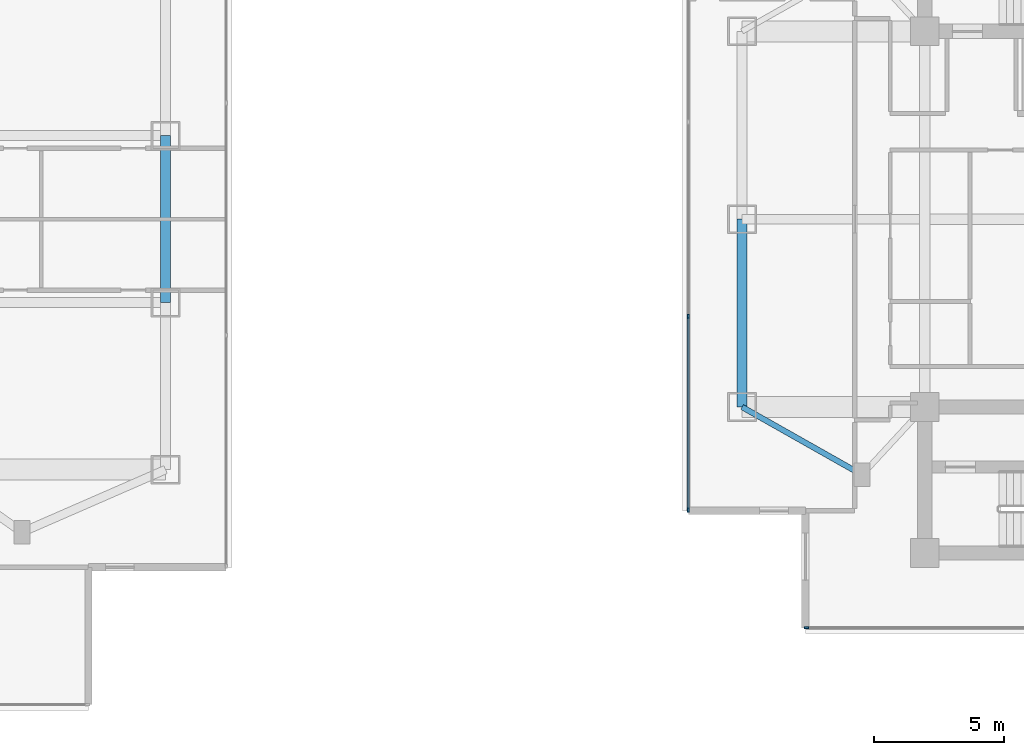
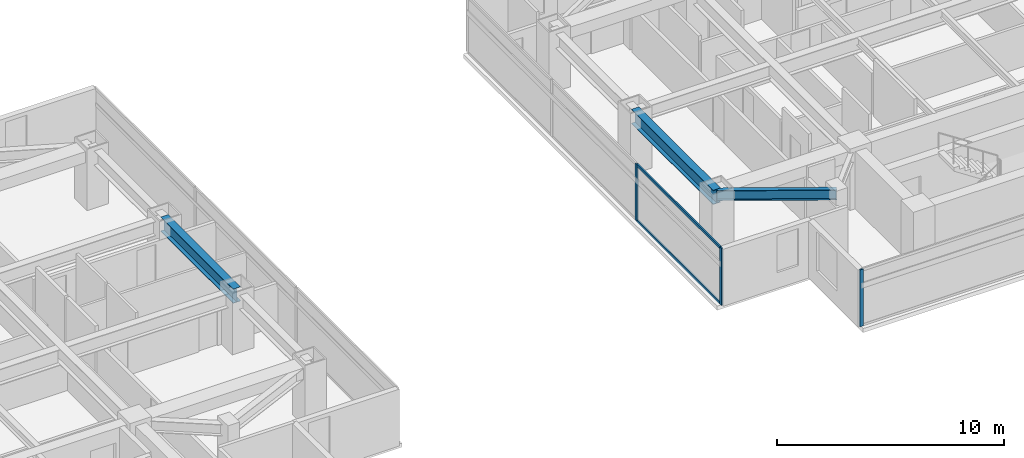
# One storey, part 5 of 26: 5 members, 3 beams, 2 elements without a shape of their own.
"""IFC4 building model written with IfcOpenShell, lengths in metres."""

from ifc_helpers import new_model, si_unit, direction, frame, origin, origin_2d, place, context, subcontext, project, spatial, rectangle, i_section, extrude, material, material_profile, profile_set, type_object, element, aggregate, save


model = new_model("IFC4")

# Units and contexts
model_context = context("Model", 3, precision=1e-05, world=origin(), true_north=direction((0.0, 1.0)))
body_context = subcontext(model_context, "Body", "Model", "MODEL_VIEW")
ifc_project = project(units=[si_unit("LENGTHUNIT", "METRE"), si_unit("AREAUNIT", "SQUARE_METRE"), si_unit("VOLUMEUNIT", "CUBIC_METRE"), si_unit("PLANEANGLEUNIT", "RADIAN"), si_unit("MASSUNIT", "GRAM", prefix="KILO")], contexts=[model_context])

# Site, building, storey
site_placement = place(None, origin())
site = spatial("IfcSite", under=ifc_project, at=site_placement, CompositionType="ELEMENT")
building_placement = place(site_placement, origin())
building = spatial("IfcBuilding", under=site, at=building_placement, Name="Mirazonda Arch Towers", CompositionType="ELEMENT")
storey_placement = place(building_placement, frame((0.0, 0.0, 128.0)))
storey = spatial("IfcBuildingStorey", under=building, at=storey_placement, Name="L36", CompositionType="ELEMENT", Elevation=128.0)

# Beams
ifc_material_1 = material(Name="Steel ASTM A992 Grade 50", Category="steel")
ifc_material_profile_1 = material_profile(ifc_material_1, i_section(OverallWidth=0.381103515625, OverallDepth=0.77294921875, WebThickness=0.0166015625, FlangeThickness=0.027099609375, at=origin_2d()), Name="W30X173")
ifc_profile_set_1 = profile_set([ifc_material_profile_1], Name="Steel ASTM A992 Grade 50")
beam_type_1 = type_object("IfcBeamType", Name="BM-EXT-W30X173", PredefinedType="USERDEFINED", material=ifc_profile_set_1)
beam_1_placement = place(storey_placement, frame((38.89990234375, 24.800048828125, 2.693603515625), z_axis=(0.0, 1.0, 0.0), x_axis=(-1.0, 0.0, 0.0)))
element("IfcBeam", 1, at=beam_1_placement, inside=storey, type_object=beam_type_1, Name="L36 Floor Beam BM-T1-L36-NS-E-24", ObjectType="GIRDER", PredefinedType="USERDEFINED", context=body_context, shape_type="SweptSolid", body=[
    extrude(i_section(OverallWidth=0.381103515625, OverallDepth=0.77294921875, WebThickness=0.0166015625, FlangeThickness=0.027099609375, at=origin_2d()), origin(), (0.0, 0.0, 1.0), 6.39990234375),
])
beam_2_placement = place(storey_placement, frame((61.0, 20.800048828125, 2.693603515625), z_axis=(0.0, 1.0, 0.0), x_axis=(-1.0, 0.0, 0.0)))
element("IfcBeam", 2, at=beam_2_placement, inside=storey, type_object=beam_type_1, Name="L36 Floor Beam BM-T2-L36-NS-W-20", ObjectType="GIRDER", PredefinedType="USERDEFINED", context=body_context, shape_type="SweptSolid", body=[
    extrude(i_section(OverallWidth=0.381103515625, OverallDepth=0.77294921875, WebThickness=0.0166015625, FlangeThickness=0.027099609375, at=origin_2d()), origin(), (0.0, 0.0, 1.0), 7.199951171875),
])
ifc_material_profile_2 = material_profile(ifc_material_1, i_section(OverallWidth=0.214111328125, OverallDepth=0.549072265625, WebThickness=0.0146484375, FlangeThickness=0.023681640625, at=origin_2d()), Name="W21X93")
ifc_profile_set_2 = profile_set([ifc_material_profile_2], Name="Steel ASTM A992 Grade 50")
beam_type_2 = type_object("IfcBeamType", Name="BM-INT-W21X93", PredefinedType="BEAM", material=ifc_profile_set_2)
beam_3_placement = place(storey_placement, frame((65.60009765625, 18.199951171875, 2.805419921875), z_axis=(-0.870559396632, 0.492063346467, 0.0), x_axis=(-0.492063346467, -0.870559396632, 0.0)))
element("IfcBeam", 3, at=beam_3_placement, inside=storey, type_object=beam_type_2, Name="L36 Floor Beam BM-T2-L36-PL-SW2", PredefinedType="BEAM", context=body_context, shape_type="SweptSolid", body=[
    extrude(i_section(OverallWidth=0.214111328125, OverallDepth=0.549072265625, WebThickness=0.0146484375, FlangeThickness=0.023681640625, at=origin_2d()), origin(), (0.0, 0.0, 1.0), 5.2841796875),
])

# Curtain wall, member
ifc_material_2 = material(Name="Anodised Aluminium and Low-E Glass", Category="aluminium")
curtain_wall_type = type_object("IfcCurtainWallType", Name="CW-HTL-UNIT", PredefinedType="NOTDEFINED", material=ifc_material_2)
curtain_wall_1_placement = place(storey_placement, origin())
curtain_wall_1 = element("IfcCurtainWall", 4, at=curtain_wall_1_placement, inside=storey, type_object=curtain_wall_type, Name="L36 T2 S Facade CW-L36-T2-S", PredefinedType="NOTDEFINED")
ifc_material_3 = material(Name="Anodised Aluminium Alloy", Category="aluminium")
ifc_material_profile_3 = material_profile(ifc_material_3, rectangle(XDim=0.074951171875, YDim=0.1650390625, at=origin_2d()), Name="ALU-MULL-75x165")
ifc_profile_set_3 = profile_set([ifc_material_profile_3], Name="Anodised Aluminium Alloy")
member_type_1 = type_object("IfcMemberType", Name="MULL-CW-HTL-UNIT", PredefinedType="MULLION", material=ifc_profile_set_3)
member_1_placement = place(storey_placement, frame((63.465087890625, 12.3310546875, 0.0), z_axis=(0.0, 0.0, 1.0), x_axis=(0.0, -1.0, 0.0)))
member_1 = element("IfcMember", 5, at=member_1_placement, type_object=member_type_1, Name="CW-112 mullion 4", PredefinedType="MULLION", context=body_context, shape_type="SweptSolid", body=[
    extrude(rectangle(XDim=0.074951171875, YDim=0.1650390625, at=origin_2d()), origin(), (0.0, 0.0, 1.0), 3.06005859375),
])
aggregate(curtain_wall_1, [member_1])

# Curtain wall, members
curtain_wall_2_placement = place(storey_placement, origin())
curtain_wall_2 = element("IfcCurtainWall", 6, at=curtain_wall_2_placement, inside=storey, type_object=curtain_wall_type, Name="L36 T2 W Facade CW-L36-T2-W", PredefinedType="NOTDEFINED")
member_2_placement = place(storey_placement, frame((58.94091796875, 24.2724609375, 0.0), z_axis=(0.0, 0.0, 1.0), x_axis=(1.0, 0.0, 0.0)))
member_2 = element("IfcMember", 7, at=member_2_placement, type_object=member_type_1, Name="CW-112 mullion 3", PredefinedType="MULLION", context=body_context, shape_type="SweptSolid", body=[
    extrude(rectangle(XDim=0.074951171875, YDim=0.1650390625, at=origin_2d()), origin(), (0.0, 0.0, 1.0), 3.06005859375),
])
member_3_placement = place(storey_placement, frame((58.94091796875, 16.85498046875, 0.0), z_axis=(0.0, 0.0, 1.0), x_axis=(1.0, 0.0, 0.0)))
member_3 = element("IfcMember", 8, at=member_3_placement, type_object=member_type_1, Name="CW-112 mullion 4", PredefinedType="MULLION", context=body_context, shape_type="SweptSolid", body=[
    extrude(rectangle(XDim=0.074951171875, YDim=0.1650390625, at=origin_2d()), origin(), (0.0, 0.0, 1.0), 3.06005859375),
])
ifc_material_profile_4 = material_profile(ifc_material_3, rectangle(XDim=0.074951171875, YDim=0.14501953125, at=origin_2d()), Name="ALU-TRAN-75x145")
ifc_profile_set_4 = profile_set([ifc_material_profile_4], Name="Anodised Aluminium Alloy")
member_type_2 = type_object("IfcMemberType", Name="TRAN-CW-HTL-UNIT", PredefinedType="USERDEFINED", material=ifc_profile_set_4)
member_4_placement = place(storey_placement, frame((58.94091796875, 24.235107421875, 0.03759765625), z_axis=(0.0, -1.0, 0.0), x_axis=(1.0, 0.0, 0.0)))
member_4 = element("IfcMember", 9, at=member_4_placement, type_object=member_type_2, Name="CW-112 transom 3.1", ObjectType="TRANSOM", PredefinedType="USERDEFINED", context=body_context, shape_type="SweptSolid", body=[
    extrude(rectangle(XDim=0.074951171875, YDim=0.14501953125, at=origin_2d()), origin(), (0.0, 0.0, 1.0), 7.342529296875),
])
member_5_placement = place(storey_placement, frame((58.94091796875, 24.235107421875, 3.0224609375), z_axis=(0.0, -1.0, 0.0), x_axis=(1.0, 0.0, 0.0)))
member_5 = element("IfcMember", 10, at=member_5_placement, type_object=member_type_2, Name="CW-112 transom 3.2", ObjectType="TRANSOM", PredefinedType="USERDEFINED", context=body_context, shape_type="SweptSolid", body=[
    extrude(rectangle(XDim=0.074951171875, YDim=0.14501953125, at=origin_2d()), origin(), (0.0, 0.0, 1.0), 7.342529296875),
])
aggregate(curtain_wall_2, [member_2, member_3, member_4, member_5])

save(model, "model.ifc")
